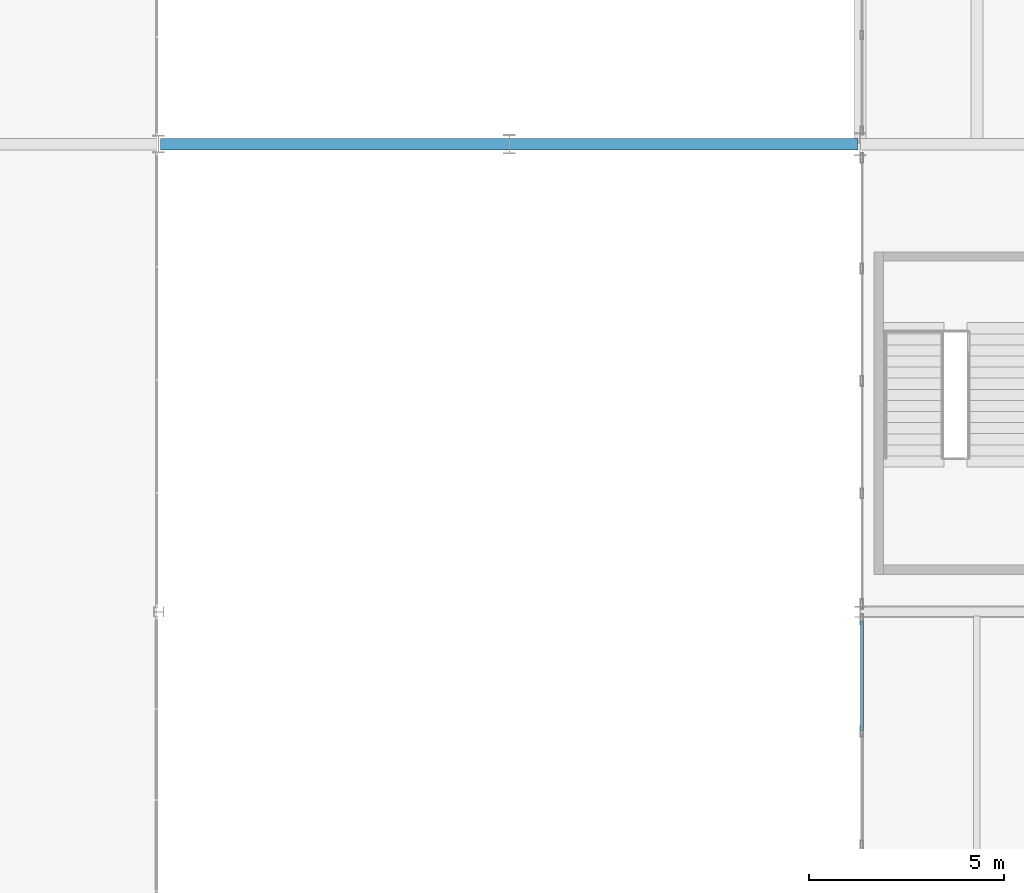
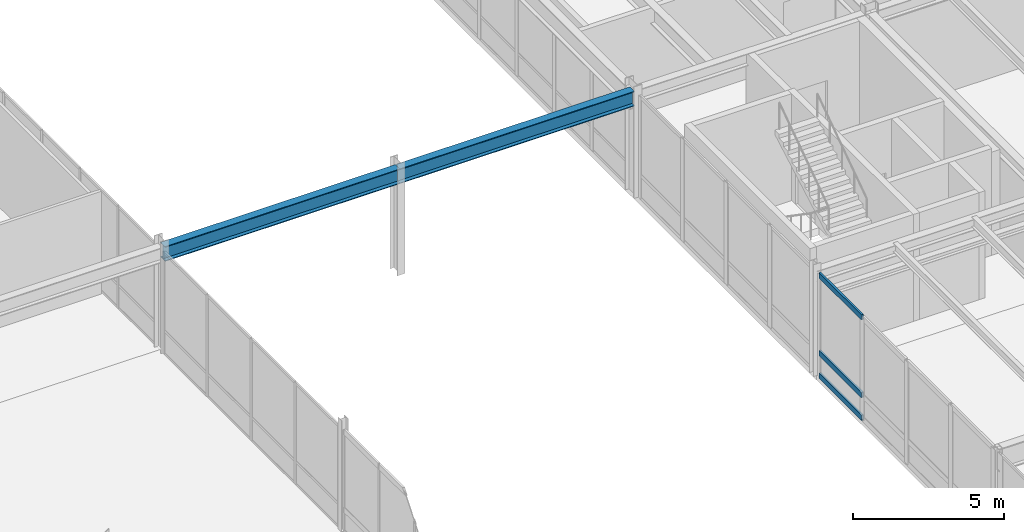
# One storey, part 74 of 115: 3 members, 2 beams, 1 element without a shape of its own.
"""IFC4 building model written with IfcOpenShell, lengths in metres."""

from ifc_helpers import new_model, si_unit, direction, frame, origin, origin_2d, place, context, subcontext, project, spatial, hollow_rectangle, i_section, extrude, material, layer, layer_set, material_profile, profile_set, type_object, element, aggregate, save


model = new_model("IFC4")

# Units and contexts
model_context = context("Model", 3, precision=1e-05, world=origin(), true_north=direction((0.0, 1.0)))
body_context = subcontext(model_context, "Body", "Model", "MODEL_VIEW")
ifc_project = project(units=[si_unit("LENGTHUNIT", "METRE"), si_unit("AREAUNIT", "SQUARE_METRE"), si_unit("VOLUMEUNIT", "CUBIC_METRE"), si_unit("PLANEANGLEUNIT", "RADIAN"), si_unit("MASSUNIT", "GRAM", prefix="KILO")], contexts=[model_context])

# Site, building, storey
site_placement = place(None, origin())
site = spatial("IfcSite", under=ifc_project, at=site_placement, CompositionType="ELEMENT")
building_placement = place(site_placement, origin())
building = spatial("IfcBuilding", under=site, at=building_placement, Name="Montelvaro Courts of Justice", CompositionType="ELEMENT")
storey_placement = place(building_placement, frame((0.0, 0.0, 9.89990234375)))
storey = spatial("IfcBuildingStorey", under=building, at=storey_placement, Name="L02", CompositionType="ELEMENT", Elevation=9.89990234375)

# Beams
ifc_material_1 = material(Name="Steel S355", Category="steel")
ifc_material_profile_1 = material_profile(ifc_material_1, i_section(OverallWidth=0.300048828125, OverallDepth=0.60009765625, WebThickness=0.015380859375, FlangeThickness=0.030029296875, at=origin_2d()), Name="HEB 600")
ifc_profile_set_1 = profile_set([ifc_material_profile_1], Name="Steel S355")
beam_type = type_object("IfcBeamType", Name="Beam_HEB600", PredefinedType="USERDEFINED", material=ifc_profile_set_1)
for number, where, z_axis, x_axis, name in (
    (1, (81.050048828125, 78.0, 3.900146484375), (1.0, 0.0, 0.0), (0.0, 1.0, 0.0), "V4 Roof Eave Girder"),
    (2, (90.0, 78.0, 3.900146484375), (1.0, 0.0, 0.0), (0.0, 1.0, 0.0), "V4 Roof Eave Girder"),
):
    element("IfcBeam", number, at=place(storey_placement, frame(where, z_axis=z_axis, x_axis=x_axis)), inside=storey, type_object=beam_type, Name=name, ObjectType="GIRDER", PredefinedType="USERDEFINED", context=body_context, shape_type="SweptSolid", body=[
        extrude(i_section(OverallWidth=0.300048828125, OverallDepth=0.60009765625, WebThickness=0.015380859375, FlangeThickness=0.030029296875, at=origin_2d()), origin(), (0.0, 0.0, 1.0), 8.949951171875),
    ])

# Curtain wall, members
ifc_material_2 = material(Name="Anodised aluminium EN AW-6063", Category="aluminium")
ifc_layer = layer(ifc_material_2, 0.159912109375)
ifc_layer_set = layer_set([ifc_layer], Name="Anodised aluminium EN AW-6063")
curtain_wall_type = type_object("IfcCurtainWallType", Name="CurtainWall_24_1169x418", PredefinedType="USERDEFINED", material=ifc_layer_set)
curtain_wall_placement = place(storey_placement, origin())
curtain_wall = element("IfcCurtainWall", 3, at=curtain_wall_placement, inside=storey, type_object=curtain_wall_type, Name="Curtain Wall CW-24 (L02)", ObjectType="CURTAIN WALL", PredefinedType="USERDEFINED")
ifc_material_profile_2 = material_profile(ifc_material_2, hollow_rectangle(XDim=0.074951171875, YDim=0.219970703125, WallThickness=0.005615234375, at=origin_2d()), Name="ALU-T 75x220")
ifc_profile_set_2 = profile_set([ifc_material_profile_2], Name="Anodised aluminium EN AW-6063")
member_type = type_object("IfcMemberType", Name="CurtainWall_Transom_75x220", PredefinedType="USERDEFINED", material=ifc_profile_set_2)
member_1_placement = place(storey_placement, frame((99.050048828125, 65.77001953125, 0.03759765625), z_axis=(0.0, -1.0, 0.0), x_axis=(1.0, 0.0, 0.0)))
member_1 = element("IfcMember", 4, at=member_1_placement, type_object=member_type, Name="CW-24 transom 1.1", ObjectType="TRANSOM", PredefinedType="USERDEFINED", context=body_context, shape_type="SweptSolid", body=[
    extrude(hollow_rectangle(XDim=0.074951171875, YDim=0.219970703125, WallThickness=0.005615234375, at=origin_2d()), origin(), (0.0, 0.0, 1.0), 2.81005859375),
])
member_2_placement = place(storey_placement, frame((99.050048828125, 65.77001953125, 0.9501953125), z_axis=(0.0, -1.0, 0.0), x_axis=(1.0, 0.0, 0.0)))
member_2 = element("IfcMember", 5, at=member_2_placement, type_object=member_type, Name="CW-24 transom 1.2", ObjectType="TRANSOM", PredefinedType="USERDEFINED", context=body_context, shape_type="SweptSolid", body=[
    extrude(hollow_rectangle(XDim=0.074951171875, YDim=0.219970703125, WallThickness=0.005615234375, at=origin_2d()), origin(), (0.0, 0.0, 1.0), 2.81005859375),
])
member_3_placement = place(storey_placement, frame((99.050048828125, 65.77001953125, 4.08251953125), z_axis=(0.0, -1.0, 0.0), x_axis=(1.0, 0.0, 0.0)))
member_3 = element("IfcMember", 6, at=member_3_placement, type_object=member_type, Name="CW-24 transom 1.3", ObjectType="TRANSOM", PredefinedType="USERDEFINED", context=body_context, shape_type="SweptSolid", body=[
    extrude(hollow_rectangle(XDim=0.074951171875, YDim=0.219970703125, WallThickness=0.005615234375, at=origin_2d()), origin(), (0.0, 0.0, 1.0), 2.81005859375),
])
aggregate(curtain_wall, [member_1, member_2, member_3])

save(model, "model.ifc")
